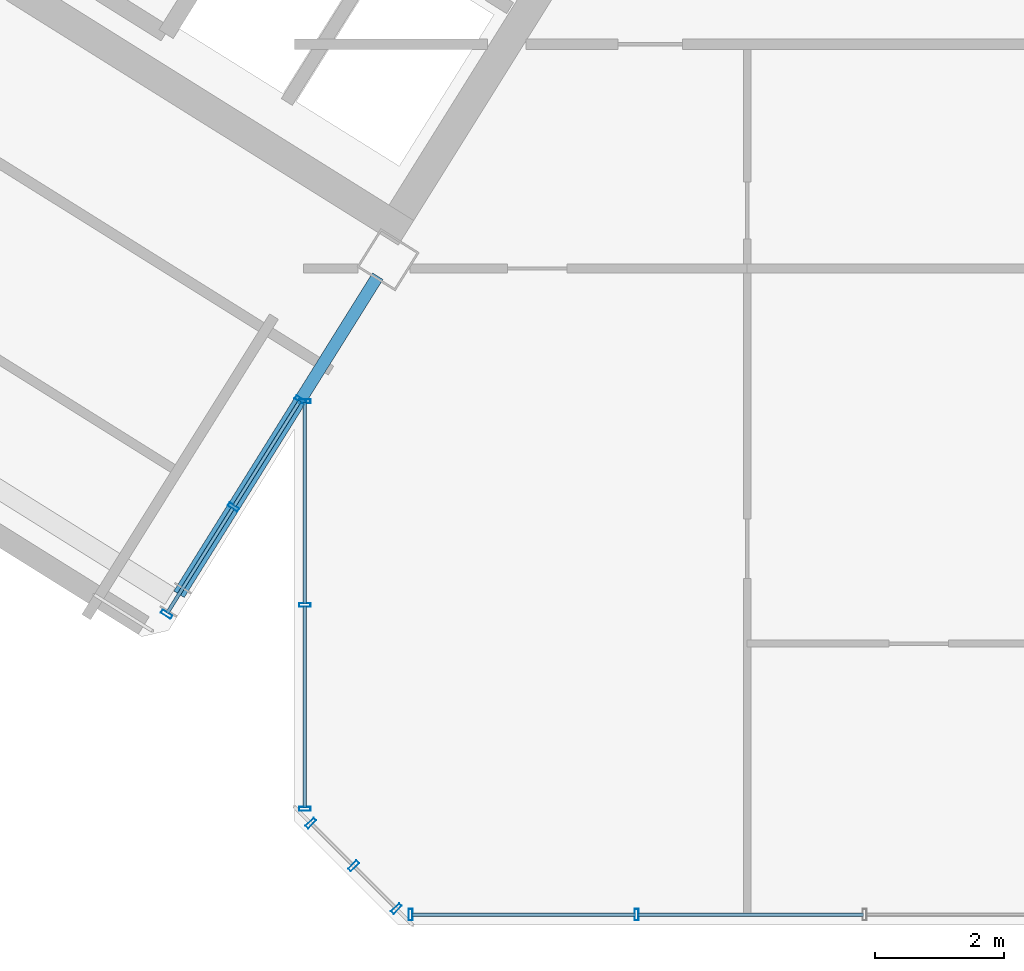
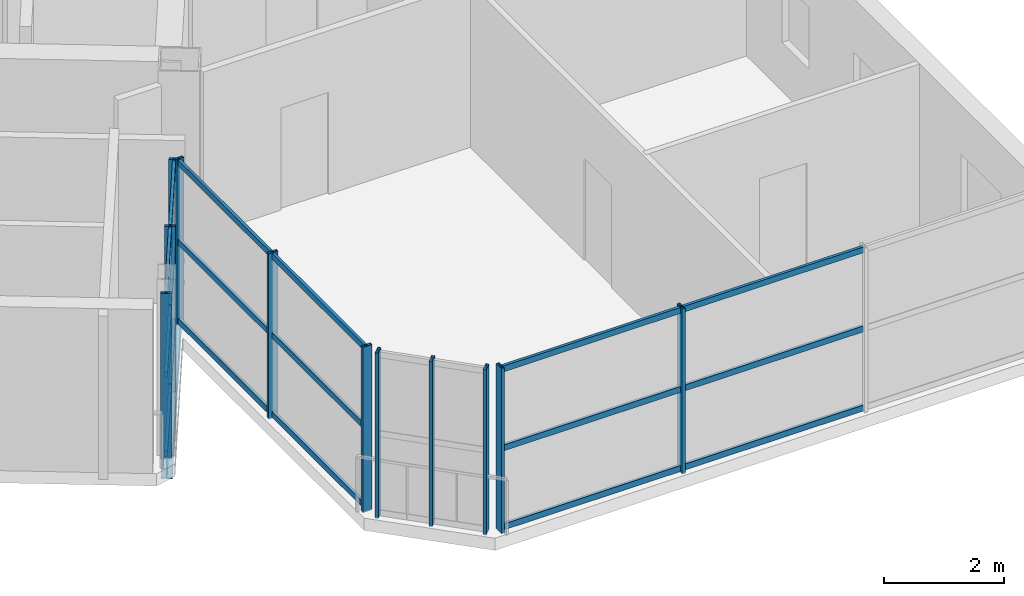
# One storey, part 2 of 12: 29 members, 1 beam, 4 elements without a shape of their own.
"""IFC4 building model written with IfcOpenShell, lengths in metres."""

from ifc_helpers import new_model, si_unit, direction, frame, origin, origin_2d, place, context, subcontext, project, spatial, hollow_rectangle, i_section, extrude, source, transform, mapped, material, material_profile, profile_set, type_object, element, aggregate, save


model = new_model("IFC4")

# Units and contexts
model_context = context("Model", 3, precision=1e-05, world=origin(), true_north=direction((0.0, 1.0)))
body_context = subcontext(model_context, "Body", "Model", "MODEL_VIEW")
ifc_project = project(units=[si_unit("LENGTHUNIT", "METRE"), si_unit("AREAUNIT", "SQUARE_METRE"), si_unit("VOLUMEUNIT", "CUBIC_METRE"), si_unit("PLANEANGLEUNIT", "RADIAN"), si_unit("MASSUNIT", "GRAM", prefix="KILO")], contexts=[model_context])

# Site, building, storey
site_placement = place(None, origin())
site = spatial("IfcSite", under=ifc_project, at=site_placement, CompositionType="ELEMENT")
building_placement = place(site_placement, origin())
building = spatial("IfcBuilding", under=site, at=building_placement, Name="Tlacorven Tower", CompositionType="ELEMENT")
storey_placement = place(building_placement, frame((0.0, 0.0, 288.0)))
storey = spatial("IfcBuildingStorey", under=building, at=storey_placement, Name="L73", CompositionType="ELEMENT", Elevation=288.0)

# Beam
ifc_material_1 = material(Name="Steel S355J2", Category="steel")
ifc_material_profile_1 = material_profile(ifc_material_1, i_section(OverallWidth=0.18994140625, OverallDepth=0.449951171875, WebThickness=0.009521484375, FlangeThickness=0.0146484375, at=origin_2d()), Name="IPE 450")
ifc_profile_set_1 = profile_set([ifc_material_profile_1], Name="Steel S355J2")
beam_type = type_object("IfcBeamType", Name="BM-TWR-450", PredefinedType="BEAM", material=ifc_profile_set_1)
shared_shape_1 = source(origin(), body_context, "Body", "SweptSolid", [
    extrude(i_section(OverallWidth=0.18994140625, OverallDepth=0.449951171875, WebThickness=0.009521484375, FlangeThickness=0.0146484375, at=origin_2d()), origin(), (0.0, 0.0, 1.0), 5.800048828125),
])
beam_placement = place(storey_placement, frame((32.88720703125, 11.83251953125, -0.47509765625), z_axis=(-0.529911912967, -0.848052689693, 0.0), x_axis=(0.848052689693, -0.529911912967, 0.0)))
element("IfcBeam", 1, at=beam_placement, inside=storey, type_object=beam_type, Name="L73 beam BM-L73-WT1-2", PredefinedType="BEAM", context=body_context, shape_type="MappedRepresentation", body=[
    mapped(shared_shape_1, transform((0.0, 0.0, 0.0), scale=1.0)),
])

# Curtain wall, members
ifc_material_2 = material(Name="Dark solar low-E double glazing in aluminium frame", Category="aluminium")
curtain_wall_type = type_object("IfcCurtainWallType", Name="CW-TWR-HIGH", PredefinedType="USERDEFINED", material=ifc_material_2)
curtain_wall_1_placement = place(storey_placement, origin())
curtain_wall_1 = element("IfcCurtainWall", 2, at=curtain_wall_1_placement, inside=storey, type_object=curtain_wall_type, Name="L73 CW-TWR-HIGH Curtain Wall 339", ObjectType="UNITISED CURTAIN WALL", PredefinedType="USERDEFINED")
ifc_material_3 = material(Name="Aluminium 6063-T6 anodised", Category="aluminium")
ifc_material_profile_2 = material_profile(ifc_material_3, hollow_rectangle(XDim=0.06005859375, YDim=0.179931640625, WallThickness=0.00390625, at=origin_2d()), Name="ALU MULLION 60X180")
ifc_profile_set_2 = profile_set([ifc_material_profile_2], Name="Aluminium 6063-T6 anodised")
member_type_1 = type_object("IfcMemberType", Name="CWM-03", PredefinedType="MULLION", material=ifc_profile_set_2)
shared_shape_2 = source(origin(), body_context, "Body", "SweptSolid", [
    extrude(hollow_rectangle(XDim=0.06005859375, YDim=0.179931640625, WallThickness=0.00390625, at=origin_2d()), origin(), (0.0, 0.0, 1.0), 3.380126953125),
])
member_1_placement = place(storey_placement, frame((36.890869140625, 1.9599609375, -0.02001953125), z_axis=(0.0, 0.0, 1.0), x_axis=(-1.0, 0.0, 0.0)))
member_1 = element("IfcMember", 3, at=member_1_placement, type_object=member_type_1, Name="CW-L73-339 Mullion 3", PredefinedType="MULLION", context=body_context, shape_type="MappedRepresentation", body=[
    mapped(shared_shape_2, transform((0.0, 0.0, 0.0), scale=1.0)),
])
member_2_placement = place(storey_placement, frame((33.396240234375, 1.9599609375, -0.02001953125), z_axis=(0.0, 0.0, 1.0), x_axis=(-1.0, 0.0, 0.0)))
member_2 = element("IfcMember", 4, at=member_2_placement, type_object=member_type_1, Name="CW-L73-339 Mullion 4", PredefinedType="MULLION", context=body_context, shape_type="MappedRepresentation", body=[
    mapped(shared_shape_2, transform((0.0, 0.0, 0.0), scale=1.0)),
])

curtain_wall_2_placement = place(storey_placement, origin())
curtain_wall_2 = element("IfcCurtainWall", 5, at=curtain_wall_2_placement, inside=storey, type_object=curtain_wall_type, Name="L73 CW-TWR-HIGH Curtain Wall 340", ObjectType="UNITISED CURTAIN WALL", PredefinedType="USERDEFINED")
member_3_placement = place(storey_placement, frame((33.17431640625, 2.052001953125, -0.02001953125), z_axis=(0.0, 0.0, 1.0), x_axis=(-0.707106781187, 0.707106781187, 0.0)))
member_3 = element("IfcMember", 6, at=member_3_placement, type_object=member_type_1, Name="CW-L73-340 Mullion 1", PredefinedType="MULLION", context=body_context, shape_type="MappedRepresentation", body=[
    mapped(shared_shape_2, transform((0.0, 0.0, 0.0), scale=1.0)),
])
member_4_placement = place(storey_placement, frame((32.51318359375, 2.713134765625, -0.02001953125), z_axis=(0.0, 0.0, 1.0), x_axis=(-0.707106781187, 0.707106781187, 0.0)))
member_4 = element("IfcMember", 7, at=member_4_placement, type_object=member_type_1, Name="CW-L73-340 Mullion 2", PredefinedType="MULLION", context=body_context, shape_type="MappedRepresentation", body=[
    mapped(shared_shape_2, transform((0.0, 0.0, 0.0), scale=1.0)),
])
member_5_placement = place(storey_placement, frame((31.851806640625, 3.374267578125, -0.02001953125), z_axis=(0.0, 0.0, 1.0), x_axis=(-0.707106781187, 0.707106781187, 0.0)))
member_5 = element("IfcMember", 8, at=member_5_placement, type_object=member_type_1, Name="CW-L73-340 Mullion 3", PredefinedType="MULLION", context=body_context, shape_type="MappedRepresentation", body=[
    mapped(shared_shape_2, transform((0.0, 0.0, 0.0), scale=1.0)),
])
aggregate(curtain_wall_2, [member_3, member_4, member_5])

curtain_wall_3_placement = place(storey_placement, origin())
curtain_wall_3 = element("IfcCurtainWall", 9, at=curtain_wall_3_placement, inside=storey, type_object=curtain_wall_type, Name="L73 CW-TWR-HIGH Curtain Wall 341", ObjectType="UNITISED CURTAIN WALL", PredefinedType="USERDEFINED")
member_6_placement = place(storey_placement, frame((31.760009765625, 3.59619140625, -0.02001953125), z_axis=(0.0, 0.0, 1.0), x_axis=(0.0, 1.0, 0.0)))
member_6 = element("IfcMember", 10, at=member_6_placement, type_object=member_type_1, Name="CW-L73-341 Mullion 1", PredefinedType="MULLION", context=body_context, shape_type="MappedRepresentation", body=[
    mapped(shared_shape_2, transform((0.0, 0.0, 0.0), scale=1.0)),
])
member_7_placement = place(storey_placement, frame((31.760009765625, 6.74755859375, -0.02001953125), z_axis=(0.0, 0.0, 1.0), x_axis=(0.0, 1.0, 0.0)))
member_7 = element("IfcMember", 11, at=member_7_placement, type_object=member_type_1, Name="CW-L73-341 Mullion 2", PredefinedType="MULLION", context=body_context, shape_type="MappedRepresentation", body=[
    mapped(shared_shape_2, transform((0.0, 0.0, 0.0), scale=1.0)),
])
member_8_placement = place(storey_placement, frame((31.760009765625, 9.898681640625, -0.02001953125), z_axis=(0.0, 0.0, 1.0), x_axis=(0.0, 1.0, 0.0)))
member_8 = element("IfcMember", 12, at=member_8_placement, type_object=member_type_1, Name="CW-L73-341 Mullion 3", PredefinedType="MULLION", context=body_context, shape_type="MappedRepresentation", body=[
    mapped(shared_shape_2, transform((0.0, 0.0, 0.0), scale=1.0)),
])

curtain_wall_4_placement = place(storey_placement, origin())
curtain_wall_4 = element("IfcCurtainWall", 13, at=curtain_wall_4_placement, inside=storey, type_object=curtain_wall_type, Name="L73 CW-TWR-HIGH Curtain Wall 342", ObjectType="UNITISED CURTAIN WALL", PredefinedType="USERDEFINED")
member_9_placement = place(storey_placement, frame((31.691162109375, 9.91845703125, -0.02001953125), z_axis=(0.0, 0.0, 1.0), x_axis=(-0.529918710919, -0.848048441905, 0.0)))
member_9 = element("IfcMember", 14, at=member_9_placement, type_object=member_type_1, Name="CW-L73-342 Mullion 1", PredefinedType="MULLION", context=body_context, shape_type="MappedRepresentation", body=[
    mapped(shared_shape_2, transform((0.0, 0.0, 0.0), scale=1.0)),
])
member_10_placement = place(storey_placement, frame((30.656005859375, 8.261962890625, -0.02001953125), z_axis=(0.0, 0.0, 1.0), x_axis=(-0.529918710919, -0.848048441905, 0.0)))
member_10 = element("IfcMember", 15, at=member_10_placement, type_object=member_type_1, Name="CW-L73-342 Mullion 2", PredefinedType="MULLION", context=body_context, shape_type="MappedRepresentation", body=[
    mapped(shared_shape_2, transform((0.0, 0.0, 0.0), scale=1.0)),
])
member_11_placement = place(storey_placement, frame((29.620849609375, 6.605224609375, -0.02001953125), z_axis=(0.0, 0.0, 1.0), x_axis=(-0.529918710919, -0.848048441905, 0.0)))
member_11 = element("IfcMember", 16, at=member_11_placement, type_object=member_type_1, Name="CW-L73-342 Mullion 3", PredefinedType="MULLION", context=body_context, shape_type="MappedRepresentation", body=[
    mapped(shared_shape_2, transform((0.0, 0.0, 0.0), scale=1.0)),
])

# Member
ifc_material_profile_3 = material_profile(ifc_material_3, hollow_rectangle(XDim=0.054931640625, YDim=0.1201171875, WallThickness=0.00341796875, at=origin_2d()), Name="ALU TRANSOM 55X120")
ifc_profile_set_3 = profile_set([ifc_material_profile_3], Name="Aluminium 6063-T6 anodised")
member_type_2 = type_object("IfcMemberType", Name="CWT-03", PredefinedType="USERDEFINED", material=ifc_profile_set_3)
shared_shape_3 = source(origin(), body_context, "Body", "SweptSolid", [
    extrude(hollow_rectangle(XDim=0.054931640625, YDim=0.1201171875, WallThickness=0.00341796875, at=origin_2d()), origin(), (0.0, 0.0, 1.0), 3.115234375),
])
member_12_placement = place(storey_placement, frame((31.760009765625, 3.6142578125, 0.06005859375), z_axis=(0.0, 1.0, 0.0), x_axis=(-1.0, 0.0, 0.0)))
member_12 = element("IfcMember", 17, at=member_12_placement, type_object=member_type_2, Name="CW-L73-341 Transom 1", ObjectType="TRANSOM", PredefinedType="USERDEFINED", context=body_context, shape_type="MappedRepresentation", body=[
    mapped(shared_shape_3, transform((0.0, 0.0, 0.0), scale=1.0)),
])

member_13_placement = place(storey_placement, frame((31.760009765625, 3.6142578125, 1.675048828125), z_axis=(0.0, 1.0, 0.0), x_axis=(-1.0, 0.0, 0.0)))
member_13 = element("IfcMember", 18, at=member_13_placement, type_object=member_type_2, Name="CW-L73-341 Transom 2", ObjectType="TRANSOM", PredefinedType="USERDEFINED", context=body_context, shape_type="MappedRepresentation", body=[
    mapped(shared_shape_3, transform((0.0, 0.0, 0.0), scale=1.0)),
])

member_14_placement = place(storey_placement, frame((31.760009765625, 3.6142578125, 3.2900390625), z_axis=(0.0, 1.0, 0.0), x_axis=(-1.0, 0.0, 0.0)))
member_14 = element("IfcMember", 19, at=member_14_placement, type_object=member_type_2, Name="CW-L73-341 Transom 3", ObjectType="TRANSOM", PredefinedType="USERDEFINED", context=body_context, shape_type="MappedRepresentation", body=[
    mapped(shared_shape_3, transform((0.0, 0.0, 0.0), scale=1.0)),
])

member_15_placement = place(storey_placement, frame((31.760009765625, 6.765380859375, 0.06005859375), z_axis=(0.0, 1.0, 0.0), x_axis=(-1.0, 0.0, 0.0)))
member_15 = element("IfcMember", 20, at=member_15_placement, type_object=member_type_2, Name="CW-L73-341 Transom 4", ObjectType="TRANSOM", PredefinedType="USERDEFINED", context=body_context, shape_type="MappedRepresentation", body=[
    mapped(shared_shape_3, transform((0.0, 0.0, 0.0), scale=1.0)),
])

member_16_placement = place(storey_placement, frame((31.760009765625, 6.765380859375, 1.675048828125), z_axis=(0.0, 1.0, 0.0), x_axis=(-1.0, 0.0, 0.0)))
member_16 = element("IfcMember", 21, at=member_16_placement, type_object=member_type_2, Name="CW-L73-341 Transom 5", ObjectType="TRANSOM", PredefinedType="USERDEFINED", context=body_context, shape_type="MappedRepresentation", body=[
    mapped(shared_shape_3, transform((0.0, 0.0, 0.0), scale=1.0)),
])

member_17_placement = place(storey_placement, frame((31.760009765625, 6.765380859375, 3.2900390625), z_axis=(0.0, 1.0, 0.0), x_axis=(-1.0, 0.0, 0.0)))
member_17 = element("IfcMember", 22, at=member_17_placement, type_object=member_type_2, Name="CW-L73-341 Transom 6", ObjectType="TRANSOM", PredefinedType="USERDEFINED", context=body_context, shape_type="MappedRepresentation", body=[
    mapped(shared_shape_3, transform((0.0, 0.0, 0.0), scale=1.0)),
])

aggregate(curtain_wall_3, [member_6, member_7, member_8, member_12, member_13, member_14, member_15, member_16, member_17])

shared_shape_4 = source(origin(), body_context, "Body", "SweptSolid", [
    extrude(hollow_rectangle(XDim=0.054931640625, YDim=0.1201171875, WallThickness=0.00341796875, at=origin_2d()), origin(), (0.0, 0.0, 1.0), 1.91748046875),
])
member_18_placement = place(storey_placement, frame((31.681640625, 9.903076171875, 0.06005859375), z_axis=(-0.529953157166, -0.84802691656, 0.0), x_axis=(0.84802691656, -0.529953157166, 0.0)))
member_18 = element("IfcMember", 23, at=member_18_placement, type_object=member_type_2, Name="CW-L73-342 Transom 1", ObjectType="TRANSOM", PredefinedType="USERDEFINED", context=body_context, shape_type="MappedRepresentation", body=[
    mapped(shared_shape_4, transform((0.0, 0.0, 0.0), scale=1.0)),
])

member_19_placement = place(storey_placement, frame((31.681640625, 9.903076171875, 1.675048828125), z_axis=(-0.529953157166, -0.84802691656, 0.0), x_axis=(0.84802691656, -0.529953157166, 0.0)))
member_19 = element("IfcMember", 24, at=member_19_placement, type_object=member_type_2, Name="CW-L73-342 Transom 2", ObjectType="TRANSOM", PredefinedType="USERDEFINED", context=body_context, shape_type="MappedRepresentation", body=[
    mapped(shared_shape_4, transform((0.0, 0.0, 0.0), scale=1.0)),
])

member_20_placement = place(storey_placement, frame((31.681640625, 9.903076171875, 3.2900390625), z_axis=(-0.529953157166, -0.84802691656, 0.0), x_axis=(0.84802691656, -0.529953157166, 0.0)))
member_20 = element("IfcMember", 25, at=member_20_placement, type_object=member_type_2, Name="CW-L73-342 Transom 3", ObjectType="TRANSOM", PredefinedType="USERDEFINED", context=body_context, shape_type="MappedRepresentation", body=[
    mapped(shared_shape_4, transform((0.0, 0.0, 0.0), scale=1.0)),
])

member_21_placement = place(storey_placement, frame((30.646484375, 8.24658203125, 0.06005859375), z_axis=(-0.529953157166, -0.84802691656, 0.0), x_axis=(0.84802691656, -0.529953157166, 0.0)))
member_21 = element("IfcMember", 26, at=member_21_placement, type_object=member_type_2, Name="CW-L73-342 Transom 4", ObjectType="TRANSOM", PredefinedType="USERDEFINED", context=body_context, shape_type="MappedRepresentation", body=[
    mapped(shared_shape_4, transform((0.0, 0.0, 0.0), scale=1.0)),
])

member_22_placement = place(storey_placement, frame((30.646484375, 8.24658203125, 1.675048828125), z_axis=(-0.529953157166, -0.84802691656, 0.0), x_axis=(0.84802691656, -0.529953157166, 0.0)))
member_22 = element("IfcMember", 27, at=member_22_placement, type_object=member_type_2, Name="CW-L73-342 Transom 5", ObjectType="TRANSOM", PredefinedType="USERDEFINED", context=body_context, shape_type="MappedRepresentation", body=[
    mapped(shared_shape_4, transform((0.0, 0.0, 0.0), scale=1.0)),
])

member_23_placement = place(storey_placement, frame((30.646484375, 8.24658203125, 3.2900390625), z_axis=(-0.529953157166, -0.84802691656, 0.0), x_axis=(0.84802691656, -0.529953157166, 0.0)))
member_23 = element("IfcMember", 28, at=member_23_placement, type_object=member_type_2, Name="CW-L73-342 Transom 6", ObjectType="TRANSOM", PredefinedType="USERDEFINED", context=body_context, shape_type="MappedRepresentation", body=[
    mapped(shared_shape_4, transform((0.0, 0.0, 0.0), scale=1.0)),
])

aggregate(curtain_wall_4, [member_9, member_10, member_11, member_18, member_19, member_20, member_21, member_22, member_23])

shared_shape_5 = source(origin(), body_context, "Body", "SweptSolid", [
    extrude(hollow_rectangle(XDim=0.054931640625, YDim=0.1201171875, WallThickness=0.00341796875, at=origin_2d()), origin(), (0.0, 0.0, 1.0), 3.488525390625),
])
member_24_placement = place(storey_placement, frame((40.3974609375, 1.9599609375, 0.06005859375), z_axis=(-1.0, 0.0, 0.0), x_axis=(0.0, -1.0, 0.0)))
member_24 = element("IfcMember", 29, at=member_24_placement, type_object=member_type_2, Name="CW-L73-339 Transom 4", ObjectType="TRANSOM", PredefinedType="USERDEFINED", context=body_context, shape_type="MappedRepresentation", body=[
    mapped(shared_shape_5, transform((0.0, 0.0, 0.0), scale=1.0)),
])

member_25_placement = place(storey_placement, frame((40.3974609375, 1.9599609375, 1.675048828125), z_axis=(-1.0, 0.0, 0.0), x_axis=(0.0, -1.0, 0.0)))
member_25 = element("IfcMember", 30, at=member_25_placement, type_object=member_type_2, Name="CW-L73-339 Transom 5", ObjectType="TRANSOM", PredefinedType="USERDEFINED", context=body_context, shape_type="MappedRepresentation", body=[
    mapped(shared_shape_5, transform((0.0, 0.0, 0.0), scale=1.0)),
])

member_26_placement = place(storey_placement, frame((40.3974609375, 1.9599609375, 3.2900390625), z_axis=(-1.0, 0.0, 0.0), x_axis=(0.0, -1.0, 0.0)))
member_26 = element("IfcMember", 31, at=member_26_placement, type_object=member_type_2, Name="CW-L73-339 Transom 6", ObjectType="TRANSOM", PredefinedType="USERDEFINED", context=body_context, shape_type="MappedRepresentation", body=[
    mapped(shared_shape_5, transform((0.0, 0.0, 0.0), scale=1.0)),
])

shared_shape_6 = source(origin(), body_context, "Body", "SweptSolid", [
    extrude(hollow_rectangle(XDim=0.054931640625, YDim=0.1201171875, WallThickness=0.00341796875, at=origin_2d()), origin(), (0.0, 0.0, 1.0), 3.45849609375),
])
member_27_placement = place(storey_placement, frame((36.872802734375, 1.9599609375, 0.06005859375), z_axis=(-1.0, 0.0, 0.0), x_axis=(0.0, -1.0, 0.0)))
member_27 = element("IfcMember", 32, at=member_27_placement, type_object=member_type_2, Name="CW-L73-339 Transom 7", ObjectType="TRANSOM", PredefinedType="USERDEFINED", context=body_context, shape_type="MappedRepresentation", body=[
    mapped(shared_shape_6, transform((0.0, 0.0, 0.0), scale=1.0)),
])

member_28_placement = place(storey_placement, frame((36.872802734375, 1.9599609375, 1.675048828125), z_axis=(-1.0, 0.0, 0.0), x_axis=(0.0, -1.0, 0.0)))
member_28 = element("IfcMember", 33, at=member_28_placement, type_object=member_type_2, Name="CW-L73-339 Transom 8", ObjectType="TRANSOM", PredefinedType="USERDEFINED", context=body_context, shape_type="MappedRepresentation", body=[
    mapped(shared_shape_6, transform((0.0, 0.0, 0.0), scale=1.0)),
])

member_29_placement = place(storey_placement, frame((36.872802734375, 1.9599609375, 3.2900390625), z_axis=(-1.0, 0.0, 0.0), x_axis=(0.0, -1.0, 0.0)))
member_29 = element("IfcMember", 34, at=member_29_placement, type_object=member_type_2, Name="CW-L73-339 Transom 9", ObjectType="TRANSOM", PredefinedType="USERDEFINED", context=body_context, shape_type="MappedRepresentation", body=[
    mapped(shared_shape_6, transform((0.0, 0.0, 0.0), scale=1.0)),
])

aggregate(curtain_wall_1, [member_1, member_2, member_24, member_25, member_26, member_27, member_28, member_29])

save(model, "model.ifc")
